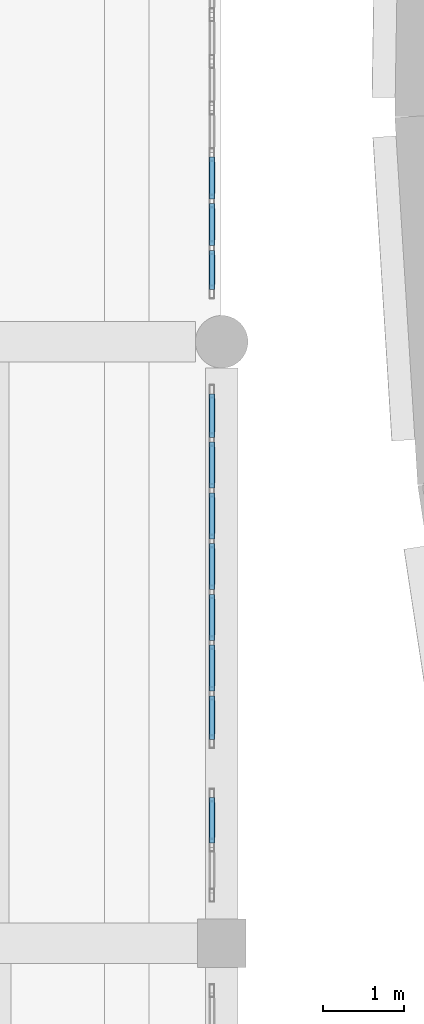
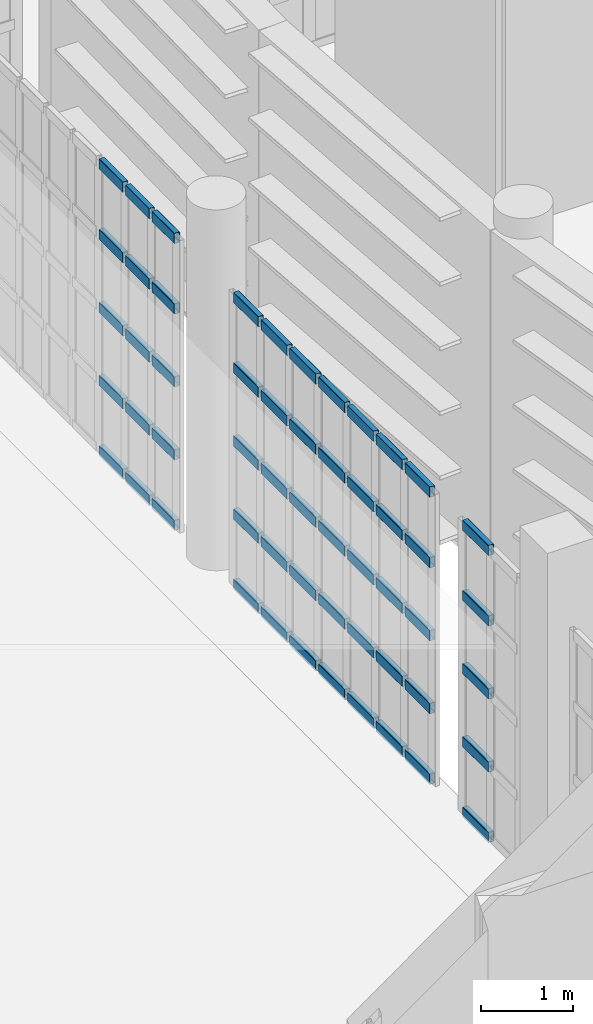
# One storey, part 58 of 104: 55 members, 3 elements without a shape of their own.
"""IFC4 building model written with IfcOpenShell, lengths in metres."""

from ifc_helpers import new_model, si_unit, direction, frame, origin, origin_2d, place, context, subcontext, project, spatial, hollow_rectangle, extrude, material, material_profile, profile_set, type_object, element, aggregate, save


model = new_model("IFC4")

# Units and contexts
model_context = context("Model", 3, precision=1e-05, world=origin(), true_north=direction((0.0, 1.0)))
body_context = subcontext(model_context, "Body", "Model", "MODEL_VIEW")
ifc_project = project(units=[si_unit("LENGTHUNIT", "METRE"), si_unit("AREAUNIT", "SQUARE_METRE"), si_unit("VOLUMEUNIT", "CUBIC_METRE"), si_unit("PLANEANGLEUNIT", "RADIAN"), si_unit("MASSUNIT", "GRAM", prefix="KILO")], contexts=[model_context])

# Site, building, storey
site_placement = place(None, origin())
site = spatial("IfcSite", under=ifc_project, at=site_placement, CompositionType="ELEMENT")
building_placement = place(site_placement, origin())
building = spatial("IfcBuilding", under=site, at=building_placement, Name="Kaelora Sail Theatre", CompositionType="ELEMENT")
storey_placement = place(building_placement, frame((0.0, 0.0, 5.39990234375)))
storey = spatial("IfcBuildingStorey", under=building, at=storey_placement, Name="L01", CompositionType="ELEMENT", Elevation=5.39990234375)

# Curtain wall, members
ifc_material_1 = material(Name="Anodised aluminium and solar-control low-E IGU", Category="aluminium")
curtain_wall_type = type_object("IfcCurtainWallType", Name="ARC-CW-CW-FOY2", PredefinedType="NOTDEFINED", material=ifc_material_1)
curtain_wall_1_placement = place(storey_placement, origin())
curtain_wall_1 = element("IfcCurtainWall", 1, at=curtain_wall_1_placement, inside=storey, type_object=curtain_wall_type, Name="West Interstitial Foyer East Glazed Return L01-01", PredefinedType="NOTDEFINED")
ifc_material_2 = material(Name="Anodised aluminium 6063-T6", Category="aluminium")
ifc_material_profile = material_profile(ifc_material_2, hollow_rectangle(XDim=0.070068359375, YDim=0.139892578125, WallThickness=0.00390625, InnerFilletRadius=0.00390625, OuterFilletRadius=0.008056640625, at=origin_2d()), Name="ALU-TRAN 70x140x4")
ifc_profile_set = profile_set([ifc_material_profile], Name="Anodised aluminium 6063-T6")
member_type = type_object("IfcMemberType", Name="ARC-MEM-TR-140", PredefinedType="USERDEFINED", material=ifc_profile_set)
member_1_placement = place(storey_placement, frame((74.280029296875, 47.3798828125, 0.03515625), z_axis=(0.0, 1.0, 0.0), x_axis=(-1.0, 0.0, 0.0)))
member_1 = element("IfcMember", 2, at=member_1_placement, type_object=member_type, Name="CW-FOY2 transom 2.1", ObjectType="TRANSOM", PredefinedType="USERDEFINED", context=body_context, shape_type="SweptSolid", body=[
    extrude(hollow_rectangle(XDim=0.070068359375, YDim=0.139892578125, WallThickness=0.00390625, InnerFilletRadius=0.00390625, OuterFilletRadius=0.008056640625, at=origin_2d()), origin(), (0.0, 0.0, 1.0), 0.56005859375),
])
member_2_placement = place(storey_placement, frame((74.280029296875, 47.3798828125, 0.971923828125), z_axis=(0.0, 1.0, 0.0), x_axis=(-1.0, 0.0, 0.0)))
member_2 = element("IfcMember", 3, at=member_2_placement, type_object=member_type, Name="CW-FOY2 transom 2.2", ObjectType="TRANSOM", PredefinedType="USERDEFINED", context=body_context, shape_type="SweptSolid", body=[
    extrude(hollow_rectangle(XDim=0.070068359375, YDim=0.139892578125, WallThickness=0.00390625, InnerFilletRadius=0.00390625, OuterFilletRadius=0.008056640625, at=origin_2d()), origin(), (0.0, 0.0, 1.0), 0.56005859375),
])
member_3_placement = place(storey_placement, frame((74.280029296875, 47.3798828125, 1.943603515625), z_axis=(0.0, 1.0, 0.0), x_axis=(-1.0, 0.0, 0.0)))
member_3 = element("IfcMember", 4, at=member_3_placement, type_object=member_type, Name="CW-FOY2 transom 2.3", ObjectType="TRANSOM", PredefinedType="USERDEFINED", context=body_context, shape_type="SweptSolid", body=[
    extrude(hollow_rectangle(XDim=0.070068359375, YDim=0.139892578125, WallThickness=0.00390625, InnerFilletRadius=0.00390625, OuterFilletRadius=0.008056640625, at=origin_2d()), origin(), (0.0, 0.0, 1.0), 0.56005859375),
])
member_4_placement = place(storey_placement, frame((74.280029296875, 47.3798828125, 2.915283203125), z_axis=(0.0, 1.0, 0.0), x_axis=(-1.0, 0.0, 0.0)))
member_4 = element("IfcMember", 5, at=member_4_placement, type_object=member_type, Name="CW-FOY2 transom 2.4", ObjectType="TRANSOM", PredefinedType="USERDEFINED", context=body_context, shape_type="SweptSolid", body=[
    extrude(hollow_rectangle(XDim=0.070068359375, YDim=0.139892578125, WallThickness=0.00390625, InnerFilletRadius=0.00390625, OuterFilletRadius=0.008056640625, at=origin_2d()), origin(), (0.0, 0.0, 1.0), 0.56005859375),
])
member_5_placement = place(storey_placement, frame((74.280029296875, 47.3798828125, 3.85205078125), z_axis=(0.0, 1.0, 0.0), x_axis=(-1.0, 0.0, 0.0)))
member_5 = element("IfcMember", 6, at=member_5_placement, type_object=member_type, Name="CW-FOY2 transom 2.5", ObjectType="TRANSOM", PredefinedType="USERDEFINED", context=body_context, shape_type="SweptSolid", body=[
    extrude(hollow_rectangle(XDim=0.070068359375, YDim=0.139892578125, WallThickness=0.00390625, InnerFilletRadius=0.00390625, OuterFilletRadius=0.008056640625, at=origin_2d()), origin(), (0.0, 0.0, 1.0), 0.56005859375),
])
aggregate(curtain_wall_1, [member_1, member_2, member_3, member_4, member_5])

curtain_wall_2_placement = place(storey_placement, origin())
curtain_wall_2 = element("IfcCurtainWall", 7, at=curtain_wall_2_placement, inside=storey, type_object=curtain_wall_type, Name="West Interstitial Foyer East Glazed Return L01-02", PredefinedType="NOTDEFINED")
member_6_placement = place(storey_placement, frame((74.280029296875, 48.659912109375, 0.03515625), z_axis=(0.0, 1.0, 0.0), x_axis=(-1.0, 0.0, 0.0)))
member_6 = element("IfcMember", 8, at=member_6_placement, type_object=member_type, Name="CW-FOY2 transom 1.1", ObjectType="TRANSOM", PredefinedType="USERDEFINED", context=body_context, shape_type="SweptSolid", body=[
    extrude(hollow_rectangle(XDim=0.070068359375, YDim=0.139892578125, WallThickness=0.00390625, InnerFilletRadius=0.00390625, OuterFilletRadius=0.008056640625, at=origin_2d()), origin(), (0.0, 0.0, 1.0), 0.537841796875),
])
member_7_placement = place(storey_placement, frame((74.280029296875, 48.659912109375, 0.971923828125), z_axis=(0.0, 1.0, 0.0), x_axis=(-1.0, 0.0, 0.0)))
member_7 = element("IfcMember", 9, at=member_7_placement, type_object=member_type, Name="CW-FOY2 transom 1.2", ObjectType="TRANSOM", PredefinedType="USERDEFINED", context=body_context, shape_type="SweptSolid", body=[
    extrude(hollow_rectangle(XDim=0.070068359375, YDim=0.139892578125, WallThickness=0.00390625, InnerFilletRadius=0.00390625, OuterFilletRadius=0.008056640625, at=origin_2d()), origin(), (0.0, 0.0, 1.0), 0.537841796875),
])
member_8_placement = place(storey_placement, frame((74.280029296875, 48.659912109375, 1.943603515625), z_axis=(0.0, 1.0, 0.0), x_axis=(-1.0, 0.0, 0.0)))
member_8 = element("IfcMember", 10, at=member_8_placement, type_object=member_type, Name="CW-FOY2 transom 1.3", ObjectType="TRANSOM", PredefinedType="USERDEFINED", context=body_context, shape_type="SweptSolid", body=[
    extrude(hollow_rectangle(XDim=0.070068359375, YDim=0.139892578125, WallThickness=0.00390625, InnerFilletRadius=0.00390625, OuterFilletRadius=0.008056640625, at=origin_2d()), origin(), (0.0, 0.0, 1.0), 0.537841796875),
])
member_9_placement = place(storey_placement, frame((74.280029296875, 48.659912109375, 2.915283203125), z_axis=(0.0, 1.0, 0.0), x_axis=(-1.0, 0.0, 0.0)))
member_9 = element("IfcMember", 11, at=member_9_placement, type_object=member_type, Name="CW-FOY2 transom 1.4", ObjectType="TRANSOM", PredefinedType="USERDEFINED", context=body_context, shape_type="SweptSolid", body=[
    extrude(hollow_rectangle(XDim=0.070068359375, YDim=0.139892578125, WallThickness=0.00390625, InnerFilletRadius=0.00390625, OuterFilletRadius=0.008056640625, at=origin_2d()), origin(), (0.0, 0.0, 1.0), 0.537841796875),
])
member_10_placement = place(storey_placement, frame((74.280029296875, 48.659912109375, 3.85205078125), z_axis=(0.0, 1.0, 0.0), x_axis=(-1.0, 0.0, 0.0)))
member_10 = element("IfcMember", 12, at=member_10_placement, type_object=member_type, Name="CW-FOY2 transom 1.5", ObjectType="TRANSOM", PredefinedType="USERDEFINED", context=body_context, shape_type="SweptSolid", body=[
    extrude(hollow_rectangle(XDim=0.070068359375, YDim=0.139892578125, WallThickness=0.00390625, InnerFilletRadius=0.00390625, OuterFilletRadius=0.008056640625, at=origin_2d()), origin(), (0.0, 0.0, 1.0), 0.537841796875),
])
member_11_placement = place(storey_placement, frame((74.280029296875, 49.2578125, 0.03515625), z_axis=(0.0, 1.0, 0.0), x_axis=(-1.0, 0.0, 0.0)))
member_11 = element("IfcMember", 13, at=member_11_placement, type_object=member_type, Name="CW-FOY2 transom 2.1", ObjectType="TRANSOM", PredefinedType="USERDEFINED", context=body_context, shape_type="SweptSolid", body=[
    extrude(hollow_rectangle(XDim=0.070068359375, YDim=0.139892578125, WallThickness=0.00390625, InnerFilletRadius=0.00390625, OuterFilletRadius=0.008056640625, at=origin_2d()), origin(), (0.0, 0.0, 1.0), 0.56787109375),
])
member_12_placement = place(storey_placement, frame((74.280029296875, 49.2578125, 0.971923828125), z_axis=(0.0, 1.0, 0.0), x_axis=(-1.0, 0.0, 0.0)))
member_12 = element("IfcMember", 14, at=member_12_placement, type_object=member_type, Name="CW-FOY2 transom 2.2", ObjectType="TRANSOM", PredefinedType="USERDEFINED", context=body_context, shape_type="SweptSolid", body=[
    extrude(hollow_rectangle(XDim=0.070068359375, YDim=0.139892578125, WallThickness=0.00390625, InnerFilletRadius=0.00390625, OuterFilletRadius=0.008056640625, at=origin_2d()), origin(), (0.0, 0.0, 1.0), 0.56787109375),
])
member_13_placement = place(storey_placement, frame((74.280029296875, 49.2578125, 1.943603515625), z_axis=(0.0, 1.0, 0.0), x_axis=(-1.0, 0.0, 0.0)))
member_13 = element("IfcMember", 15, at=member_13_placement, type_object=member_type, Name="CW-FOY2 transom 2.3", ObjectType="TRANSOM", PredefinedType="USERDEFINED", context=body_context, shape_type="SweptSolid", body=[
    extrude(hollow_rectangle(XDim=0.070068359375, YDim=0.139892578125, WallThickness=0.00390625, InnerFilletRadius=0.00390625, OuterFilletRadius=0.008056640625, at=origin_2d()), origin(), (0.0, 0.0, 1.0), 0.56787109375),
])
member_14_placement = place(storey_placement, frame((74.280029296875, 49.2578125, 2.915283203125), z_axis=(0.0, 1.0, 0.0), x_axis=(-1.0, 0.0, 0.0)))
member_14 = element("IfcMember", 16, at=member_14_placement, type_object=member_type, Name="CW-FOY2 transom 2.4", ObjectType="TRANSOM", PredefinedType="USERDEFINED", context=body_context, shape_type="SweptSolid", body=[
    extrude(hollow_rectangle(XDim=0.070068359375, YDim=0.139892578125, WallThickness=0.00390625, InnerFilletRadius=0.00390625, OuterFilletRadius=0.008056640625, at=origin_2d()), origin(), (0.0, 0.0, 1.0), 0.56787109375),
])
member_15_placement = place(storey_placement, frame((74.280029296875, 49.2578125, 3.85205078125), z_axis=(0.0, 1.0, 0.0), x_axis=(-1.0, 0.0, 0.0)))
member_15 = element("IfcMember", 17, at=member_15_placement, type_object=member_type, Name="CW-FOY2 transom 2.5", ObjectType="TRANSOM", PredefinedType="USERDEFINED", context=body_context, shape_type="SweptSolid", body=[
    extrude(hollow_rectangle(XDim=0.070068359375, YDim=0.139892578125, WallThickness=0.00390625, InnerFilletRadius=0.00390625, OuterFilletRadius=0.008056640625, at=origin_2d()), origin(), (0.0, 0.0, 1.0), 0.56787109375),
])
member_16_placement = place(storey_placement, frame((74.280029296875, 49.8857421875, 0.03515625), z_axis=(0.0, 1.0, 0.0), x_axis=(-1.0, 0.0, 0.0)))
member_16 = element("IfcMember", 18, at=member_16_placement, type_object=member_type, Name="CW-FOY2 transom 3.1", ObjectType="TRANSOM", PredefinedType="USERDEFINED", context=body_context, shape_type="SweptSolid", body=[
    extrude(hollow_rectangle(XDim=0.070068359375, YDim=0.139892578125, WallThickness=0.00390625, InnerFilletRadius=0.00390625, OuterFilletRadius=0.008056640625, at=origin_2d()), origin(), (0.0, 0.0, 1.0), 0.56787109375),
])
member_17_placement = place(storey_placement, frame((74.280029296875, 49.8857421875, 0.971923828125), z_axis=(0.0, 1.0, 0.0), x_axis=(-1.0, 0.0, 0.0)))
member_17 = element("IfcMember", 19, at=member_17_placement, type_object=member_type, Name="CW-FOY2 transom 3.2", ObjectType="TRANSOM", PredefinedType="USERDEFINED", context=body_context, shape_type="SweptSolid", body=[
    extrude(hollow_rectangle(XDim=0.070068359375, YDim=0.139892578125, WallThickness=0.00390625, InnerFilletRadius=0.00390625, OuterFilletRadius=0.008056640625, at=origin_2d()), origin(), (0.0, 0.0, 1.0), 0.56787109375),
])
member_18_placement = place(storey_placement, frame((74.280029296875, 49.8857421875, 1.943603515625), z_axis=(0.0, 1.0, 0.0), x_axis=(-1.0, 0.0, 0.0)))
member_18 = element("IfcMember", 20, at=member_18_placement, type_object=member_type, Name="CW-FOY2 transom 3.3", ObjectType="TRANSOM", PredefinedType="USERDEFINED", context=body_context, shape_type="SweptSolid", body=[
    extrude(hollow_rectangle(XDim=0.070068359375, YDim=0.139892578125, WallThickness=0.00390625, InnerFilletRadius=0.00390625, OuterFilletRadius=0.008056640625, at=origin_2d()), origin(), (0.0, 0.0, 1.0), 0.56787109375),
])
member_19_placement = place(storey_placement, frame((74.280029296875, 49.8857421875, 2.915283203125), z_axis=(0.0, 1.0, 0.0), x_axis=(-1.0, 0.0, 0.0)))
member_19 = element("IfcMember", 21, at=member_19_placement, type_object=member_type, Name="CW-FOY2 transom 3.4", ObjectType="TRANSOM", PredefinedType="USERDEFINED", context=body_context, shape_type="SweptSolid", body=[
    extrude(hollow_rectangle(XDim=0.070068359375, YDim=0.139892578125, WallThickness=0.00390625, InnerFilletRadius=0.00390625, OuterFilletRadius=0.008056640625, at=origin_2d()), origin(), (0.0, 0.0, 1.0), 0.56787109375),
])
member_20_placement = place(storey_placement, frame((74.280029296875, 49.8857421875, 3.85205078125), z_axis=(0.0, 1.0, 0.0), x_axis=(-1.0, 0.0, 0.0)))
member_20 = element("IfcMember", 22, at=member_20_placement, type_object=member_type, Name="CW-FOY2 transom 3.5", ObjectType="TRANSOM", PredefinedType="USERDEFINED", context=body_context, shape_type="SweptSolid", body=[
    extrude(hollow_rectangle(XDim=0.070068359375, YDim=0.139892578125, WallThickness=0.00390625, InnerFilletRadius=0.00390625, OuterFilletRadius=0.008056640625, at=origin_2d()), origin(), (0.0, 0.0, 1.0), 0.56787109375),
])
member_21_placement = place(storey_placement, frame((74.280029296875, 50.513671875, 0.03515625), z_axis=(0.0, 1.0, 0.0), x_axis=(-1.0, 0.0, 0.0)))
member_21 = element("IfcMember", 23, at=member_21_placement, type_object=member_type, Name="CW-FOY2 transom 4.1", ObjectType="TRANSOM", PredefinedType="USERDEFINED", context=body_context, shape_type="SweptSolid", body=[
    extrude(hollow_rectangle(XDim=0.070068359375, YDim=0.139892578125, WallThickness=0.00390625, InnerFilletRadius=0.00390625, OuterFilletRadius=0.008056640625, at=origin_2d()), origin(), (0.0, 0.0, 1.0), 0.56787109375),
])
member_22_placement = place(storey_placement, frame((74.280029296875, 50.513671875, 0.971923828125), z_axis=(0.0, 1.0, 0.0), x_axis=(-1.0, 0.0, 0.0)))
member_22 = element("IfcMember", 24, at=member_22_placement, type_object=member_type, Name="CW-FOY2 transom 4.2", ObjectType="TRANSOM", PredefinedType="USERDEFINED", context=body_context, shape_type="SweptSolid", body=[
    extrude(hollow_rectangle(XDim=0.070068359375, YDim=0.139892578125, WallThickness=0.00390625, InnerFilletRadius=0.00390625, OuterFilletRadius=0.008056640625, at=origin_2d()), origin(), (0.0, 0.0, 1.0), 0.56787109375),
])
member_23_placement = place(storey_placement, frame((74.280029296875, 50.513671875, 1.943603515625), z_axis=(0.0, 1.0, 0.0), x_axis=(-1.0, 0.0, 0.0)))
member_23 = element("IfcMember", 25, at=member_23_placement, type_object=member_type, Name="CW-FOY2 transom 4.3", ObjectType="TRANSOM", PredefinedType="USERDEFINED", context=body_context, shape_type="SweptSolid", body=[
    extrude(hollow_rectangle(XDim=0.070068359375, YDim=0.139892578125, WallThickness=0.00390625, InnerFilletRadius=0.00390625, OuterFilletRadius=0.008056640625, at=origin_2d()), origin(), (0.0, 0.0, 1.0), 0.56787109375),
])
member_24_placement = place(storey_placement, frame((74.280029296875, 50.513671875, 2.915283203125), z_axis=(0.0, 1.0, 0.0), x_axis=(-1.0, 0.0, 0.0)))
member_24 = element("IfcMember", 26, at=member_24_placement, type_object=member_type, Name="CW-FOY2 transom 4.4", ObjectType="TRANSOM", PredefinedType="USERDEFINED", context=body_context, shape_type="SweptSolid", body=[
    extrude(hollow_rectangle(XDim=0.070068359375, YDim=0.139892578125, WallThickness=0.00390625, InnerFilletRadius=0.00390625, OuterFilletRadius=0.008056640625, at=origin_2d()), origin(), (0.0, 0.0, 1.0), 0.56787109375),
])
member_25_placement = place(storey_placement, frame((74.280029296875, 50.513671875, 3.85205078125), z_axis=(0.0, 1.0, 0.0), x_axis=(-1.0, 0.0, 0.0)))
member_25 = element("IfcMember", 27, at=member_25_placement, type_object=member_type, Name="CW-FOY2 transom 4.5", ObjectType="TRANSOM", PredefinedType="USERDEFINED", context=body_context, shape_type="SweptSolid", body=[
    extrude(hollow_rectangle(XDim=0.070068359375, YDim=0.139892578125, WallThickness=0.00390625, InnerFilletRadius=0.00390625, OuterFilletRadius=0.008056640625, at=origin_2d()), origin(), (0.0, 0.0, 1.0), 0.56787109375),
])
member_26_placement = place(storey_placement, frame((74.280029296875, 51.141357421875, 0.03515625), z_axis=(0.0, 1.0, 0.0), x_axis=(-1.0, 0.0, 0.0)))
member_26 = element("IfcMember", 28, at=member_26_placement, type_object=member_type, Name="CW-FOY2 transom 5.1", ObjectType="TRANSOM", PredefinedType="USERDEFINED", context=body_context, shape_type="SweptSolid", body=[
    extrude(hollow_rectangle(XDim=0.070068359375, YDim=0.139892578125, WallThickness=0.00390625, InnerFilletRadius=0.00390625, OuterFilletRadius=0.008056640625, at=origin_2d()), origin(), (0.0, 0.0, 1.0), 0.56787109375),
])
member_27_placement = place(storey_placement, frame((74.280029296875, 51.141357421875, 0.971923828125), z_axis=(0.0, 1.0, 0.0), x_axis=(-1.0, 0.0, 0.0)))
member_27 = element("IfcMember", 29, at=member_27_placement, type_object=member_type, Name="CW-FOY2 transom 5.2", ObjectType="TRANSOM", PredefinedType="USERDEFINED", context=body_context, shape_type="SweptSolid", body=[
    extrude(hollow_rectangle(XDim=0.070068359375, YDim=0.139892578125, WallThickness=0.00390625, InnerFilletRadius=0.00390625, OuterFilletRadius=0.008056640625, at=origin_2d()), origin(), (0.0, 0.0, 1.0), 0.56787109375),
])
member_28_placement = place(storey_placement, frame((74.280029296875, 51.141357421875, 1.943603515625), z_axis=(0.0, 1.0, 0.0), x_axis=(-1.0, 0.0, 0.0)))
member_28 = element("IfcMember", 30, at=member_28_placement, type_object=member_type, Name="CW-FOY2 transom 5.3", ObjectType="TRANSOM", PredefinedType="USERDEFINED", context=body_context, shape_type="SweptSolid", body=[
    extrude(hollow_rectangle(XDim=0.070068359375, YDim=0.139892578125, WallThickness=0.00390625, InnerFilletRadius=0.00390625, OuterFilletRadius=0.008056640625, at=origin_2d()), origin(), (0.0, 0.0, 1.0), 0.56787109375),
])
member_29_placement = place(storey_placement, frame((74.280029296875, 51.141357421875, 2.915283203125), z_axis=(0.0, 1.0, 0.0), x_axis=(-1.0, 0.0, 0.0)))
member_29 = element("IfcMember", 31, at=member_29_placement, type_object=member_type, Name="CW-FOY2 transom 5.4", ObjectType="TRANSOM", PredefinedType="USERDEFINED", context=body_context, shape_type="SweptSolid", body=[
    extrude(hollow_rectangle(XDim=0.070068359375, YDim=0.139892578125, WallThickness=0.00390625, InnerFilletRadius=0.00390625, OuterFilletRadius=0.008056640625, at=origin_2d()), origin(), (0.0, 0.0, 1.0), 0.56787109375),
])
member_30_placement = place(storey_placement, frame((74.280029296875, 51.141357421875, 3.85205078125), z_axis=(0.0, 1.0, 0.0), x_axis=(-1.0, 0.0, 0.0)))
member_30 = element("IfcMember", 32, at=member_30_placement, type_object=member_type, Name="CW-FOY2 transom 5.5", ObjectType="TRANSOM", PredefinedType="USERDEFINED", context=body_context, shape_type="SweptSolid", body=[
    extrude(hollow_rectangle(XDim=0.070068359375, YDim=0.139892578125, WallThickness=0.00390625, InnerFilletRadius=0.00390625, OuterFilletRadius=0.008056640625, at=origin_2d()), origin(), (0.0, 0.0, 1.0), 0.56787109375),
])
member_31_placement = place(storey_placement, frame((74.280029296875, 51.769287109375, 0.03515625), z_axis=(0.0, 1.0, 0.0), x_axis=(-1.0, 0.0, 0.0)))
member_31 = element("IfcMember", 33, at=member_31_placement, type_object=member_type, Name="CW-FOY2 transom 6.1", ObjectType="TRANSOM", PredefinedType="USERDEFINED", context=body_context, shape_type="SweptSolid", body=[
    extrude(hollow_rectangle(XDim=0.070068359375, YDim=0.139892578125, WallThickness=0.00390625, InnerFilletRadius=0.00390625, OuterFilletRadius=0.008056640625, at=origin_2d()), origin(), (0.0, 0.0, 1.0), 0.56787109375),
])
member_32_placement = place(storey_placement, frame((74.280029296875, 51.769287109375, 0.971923828125), z_axis=(0.0, 1.0, 0.0), x_axis=(-1.0, 0.0, 0.0)))
member_32 = element("IfcMember", 34, at=member_32_placement, type_object=member_type, Name="CW-FOY2 transom 6.2", ObjectType="TRANSOM", PredefinedType="USERDEFINED", context=body_context, shape_type="SweptSolid", body=[
    extrude(hollow_rectangle(XDim=0.070068359375, YDim=0.139892578125, WallThickness=0.00390625, InnerFilletRadius=0.00390625, OuterFilletRadius=0.008056640625, at=origin_2d()), origin(), (0.0, 0.0, 1.0), 0.56787109375),
])
member_33_placement = place(storey_placement, frame((74.280029296875, 51.769287109375, 1.943603515625), z_axis=(0.0, 1.0, 0.0), x_axis=(-1.0, 0.0, 0.0)))
member_33 = element("IfcMember", 35, at=member_33_placement, type_object=member_type, Name="CW-FOY2 transom 6.3", ObjectType="TRANSOM", PredefinedType="USERDEFINED", context=body_context, shape_type="SweptSolid", body=[
    extrude(hollow_rectangle(XDim=0.070068359375, YDim=0.139892578125, WallThickness=0.00390625, InnerFilletRadius=0.00390625, OuterFilletRadius=0.008056640625, at=origin_2d()), origin(), (0.0, 0.0, 1.0), 0.56787109375),
])
member_34_placement = place(storey_placement, frame((74.280029296875, 51.769287109375, 2.915283203125), z_axis=(0.0, 1.0, 0.0), x_axis=(-1.0, 0.0, 0.0)))
member_34 = element("IfcMember", 36, at=member_34_placement, type_object=member_type, Name="CW-FOY2 transom 6.4", ObjectType="TRANSOM", PredefinedType="USERDEFINED", context=body_context, shape_type="SweptSolid", body=[
    extrude(hollow_rectangle(XDim=0.070068359375, YDim=0.139892578125, WallThickness=0.00390625, InnerFilletRadius=0.00390625, OuterFilletRadius=0.008056640625, at=origin_2d()), origin(), (0.0, 0.0, 1.0), 0.56787109375),
])
member_35_placement = place(storey_placement, frame((74.280029296875, 51.769287109375, 3.85205078125), z_axis=(0.0, 1.0, 0.0), x_axis=(-1.0, 0.0, 0.0)))
member_35 = element("IfcMember", 37, at=member_35_placement, type_object=member_type, Name="CW-FOY2 transom 6.5", ObjectType="TRANSOM", PredefinedType="USERDEFINED", context=body_context, shape_type="SweptSolid", body=[
    extrude(hollow_rectangle(XDim=0.070068359375, YDim=0.139892578125, WallThickness=0.00390625, InnerFilletRadius=0.00390625, OuterFilletRadius=0.008056640625, at=origin_2d()), origin(), (0.0, 0.0, 1.0), 0.56787109375),
])
member_36_placement = place(storey_placement, frame((74.280029296875, 52.397216796875, 0.03515625), z_axis=(0.0, 1.0, 0.0), x_axis=(-1.0, 0.0, 0.0)))
member_36 = element("IfcMember", 38, at=member_36_placement, type_object=member_type, Name="CW-FOY2 transom 7.1", ObjectType="TRANSOM", PredefinedType="USERDEFINED", context=body_context, shape_type="SweptSolid", body=[
    extrude(hollow_rectangle(XDim=0.070068359375, YDim=0.139892578125, WallThickness=0.00390625, InnerFilletRadius=0.00390625, OuterFilletRadius=0.008056640625, at=origin_2d()), origin(), (0.0, 0.0, 1.0), 0.537841796875),
])
member_37_placement = place(storey_placement, frame((74.280029296875, 52.397216796875, 0.971923828125), z_axis=(0.0, 1.0, 0.0), x_axis=(-1.0, 0.0, 0.0)))
member_37 = element("IfcMember", 39, at=member_37_placement, type_object=member_type, Name="CW-FOY2 transom 7.2", ObjectType="TRANSOM", PredefinedType="USERDEFINED", context=body_context, shape_type="SweptSolid", body=[
    extrude(hollow_rectangle(XDim=0.070068359375, YDim=0.139892578125, WallThickness=0.00390625, InnerFilletRadius=0.00390625, OuterFilletRadius=0.008056640625, at=origin_2d()), origin(), (0.0, 0.0, 1.0), 0.537841796875),
])
member_38_placement = place(storey_placement, frame((74.280029296875, 52.397216796875, 1.943603515625), z_axis=(0.0, 1.0, 0.0), x_axis=(-1.0, 0.0, 0.0)))
member_38 = element("IfcMember", 40, at=member_38_placement, type_object=member_type, Name="CW-FOY2 transom 7.3", ObjectType="TRANSOM", PredefinedType="USERDEFINED", context=body_context, shape_type="SweptSolid", body=[
    extrude(hollow_rectangle(XDim=0.070068359375, YDim=0.139892578125, WallThickness=0.00390625, InnerFilletRadius=0.00390625, OuterFilletRadius=0.008056640625, at=origin_2d()), origin(), (0.0, 0.0, 1.0), 0.537841796875),
])
member_39_placement = place(storey_placement, frame((74.280029296875, 52.397216796875, 2.915283203125), z_axis=(0.0, 1.0, 0.0), x_axis=(-1.0, 0.0, 0.0)))
member_39 = element("IfcMember", 41, at=member_39_placement, type_object=member_type, Name="CW-FOY2 transom 7.4", ObjectType="TRANSOM", PredefinedType="USERDEFINED", context=body_context, shape_type="SweptSolid", body=[
    extrude(hollow_rectangle(XDim=0.070068359375, YDim=0.139892578125, WallThickness=0.00390625, InnerFilletRadius=0.00390625, OuterFilletRadius=0.008056640625, at=origin_2d()), origin(), (0.0, 0.0, 1.0), 0.537841796875),
])
member_40_placement = place(storey_placement, frame((74.280029296875, 52.397216796875, 3.85205078125), z_axis=(0.0, 1.0, 0.0), x_axis=(-1.0, 0.0, 0.0)))
member_40 = element("IfcMember", 42, at=member_40_placement, type_object=member_type, Name="CW-FOY2 transom 7.5", ObjectType="TRANSOM", PredefinedType="USERDEFINED", context=body_context, shape_type="SweptSolid", body=[
    extrude(hollow_rectangle(XDim=0.070068359375, YDim=0.139892578125, WallThickness=0.00390625, InnerFilletRadius=0.00390625, OuterFilletRadius=0.008056640625, at=origin_2d()), origin(), (0.0, 0.0, 1.0), 0.537841796875),
])
aggregate(curtain_wall_2, [member_6, member_7, member_8, member_9, member_10, member_11, member_12, member_13, member_14, member_15, member_16, member_17, member_18, member_19, member_20, member_21, member_22, member_23, member_24, member_25, member_26, member_27, member_28, member_29, member_30, member_31, member_32, member_33, member_34, member_35, member_36, member_37, member_38, member_39, member_40])

curtain_wall_3_placement = place(storey_placement, origin())
curtain_wall_3 = element("IfcCurtainWall", 43, at=curtain_wall_3_placement, inside=storey, type_object=curtain_wall_type, Name="West Interstitial Foyer East Glazed Return L01-03", PredefinedType="NOTDEFINED")
member_41_placement = place(storey_placement, frame((74.280029296875, 54.22509765625, 0.03515625), z_axis=(0.0, 1.0, 0.0), x_axis=(-1.0, 0.0, 0.0)))
member_41 = element("IfcMember", 44, at=member_41_placement, type_object=member_type, Name="CW-FOY2 transom 1.1", ObjectType="TRANSOM", PredefinedType="USERDEFINED", context=body_context, shape_type="SweptSolid", body=[
    extrude(hollow_rectangle(XDim=0.070068359375, YDim=0.139892578125, WallThickness=0.00390625, InnerFilletRadius=0.00390625, OuterFilletRadius=0.008056640625, at=origin_2d()), origin(), (0.0, 0.0, 1.0), 0.486328125),
])
member_42_placement = place(storey_placement, frame((74.280029296875, 54.22509765625, 0.971923828125), z_axis=(0.0, 1.0, 0.0), x_axis=(-1.0, 0.0, 0.0)))
member_42 = element("IfcMember", 45, at=member_42_placement, type_object=member_type, Name="CW-FOY2 transom 1.2", ObjectType="TRANSOM", PredefinedType="USERDEFINED", context=body_context, shape_type="SweptSolid", body=[
    extrude(hollow_rectangle(XDim=0.070068359375, YDim=0.139892578125, WallThickness=0.00390625, InnerFilletRadius=0.00390625, OuterFilletRadius=0.008056640625, at=origin_2d()), origin(), (0.0, 0.0, 1.0), 0.486328125),
])
member_43_placement = place(storey_placement, frame((74.280029296875, 54.22509765625, 1.943603515625), z_axis=(0.0, 1.0, 0.0), x_axis=(-1.0, 0.0, 0.0)))
member_43 = element("IfcMember", 46, at=member_43_placement, type_object=member_type, Name="CW-FOY2 transom 1.3", ObjectType="TRANSOM", PredefinedType="USERDEFINED", context=body_context, shape_type="SweptSolid", body=[
    extrude(hollow_rectangle(XDim=0.070068359375, YDim=0.139892578125, WallThickness=0.00390625, InnerFilletRadius=0.00390625, OuterFilletRadius=0.008056640625, at=origin_2d()), origin(), (0.0, 0.0, 1.0), 0.486328125),
])
member_44_placement = place(storey_placement, frame((74.280029296875, 54.22509765625, 2.915283203125), z_axis=(0.0, 1.0, 0.0), x_axis=(-1.0, 0.0, 0.0)))
member_44 = element("IfcMember", 47, at=member_44_placement, type_object=member_type, Name="CW-FOY2 transom 1.4", ObjectType="TRANSOM", PredefinedType="USERDEFINED", context=body_context, shape_type="SweptSolid", body=[
    extrude(hollow_rectangle(XDim=0.070068359375, YDim=0.139892578125, WallThickness=0.00390625, InnerFilletRadius=0.00390625, OuterFilletRadius=0.008056640625, at=origin_2d()), origin(), (0.0, 0.0, 1.0), 0.486328125),
])
member_45_placement = place(storey_placement, frame((74.280029296875, 54.22509765625, 3.85205078125), z_axis=(0.0, 1.0, 0.0), x_axis=(-1.0, 0.0, 0.0)))
member_45 = element("IfcMember", 48, at=member_45_placement, type_object=member_type, Name="CW-FOY2 transom 1.5", ObjectType="TRANSOM", PredefinedType="USERDEFINED", context=body_context, shape_type="SweptSolid", body=[
    extrude(hollow_rectangle(XDim=0.070068359375, YDim=0.139892578125, WallThickness=0.00390625, InnerFilletRadius=0.00390625, OuterFilletRadius=0.008056640625, at=origin_2d()), origin(), (0.0, 0.0, 1.0), 0.486328125),
])
member_46_placement = place(storey_placement, frame((74.280029296875, 54.771484375, 0.03515625), z_axis=(0.0, 1.0, 0.0), x_axis=(-1.0, 0.0, 0.0)))
member_46 = element("IfcMember", 49, at=member_46_placement, type_object=member_type, Name="CW-FOY2 transom 2.1", ObjectType="TRANSOM", PredefinedType="USERDEFINED", context=body_context, shape_type="SweptSolid", body=[
    extrude(hollow_rectangle(XDim=0.070068359375, YDim=0.139892578125, WallThickness=0.00390625, InnerFilletRadius=0.00390625, OuterFilletRadius=0.008056640625, at=origin_2d()), origin(), (0.0, 0.0, 1.0), 0.516357421875),
])
member_47_placement = place(storey_placement, frame((74.280029296875, 54.771484375, 0.971923828125), z_axis=(0.0, 1.0, 0.0), x_axis=(-1.0, 0.0, 0.0)))
member_47 = element("IfcMember", 50, at=member_47_placement, type_object=member_type, Name="CW-FOY2 transom 2.2", ObjectType="TRANSOM", PredefinedType="USERDEFINED", context=body_context, shape_type="SweptSolid", body=[
    extrude(hollow_rectangle(XDim=0.070068359375, YDim=0.139892578125, WallThickness=0.00390625, InnerFilletRadius=0.00390625, OuterFilletRadius=0.008056640625, at=origin_2d()), origin(), (0.0, 0.0, 1.0), 0.516357421875),
])
member_48_placement = place(storey_placement, frame((74.280029296875, 54.771484375, 1.943603515625), z_axis=(0.0, 1.0, 0.0), x_axis=(-1.0, 0.0, 0.0)))
member_48 = element("IfcMember", 51, at=member_48_placement, type_object=member_type, Name="CW-FOY2 transom 2.3", ObjectType="TRANSOM", PredefinedType="USERDEFINED", context=body_context, shape_type="SweptSolid", body=[
    extrude(hollow_rectangle(XDim=0.070068359375, YDim=0.139892578125, WallThickness=0.00390625, InnerFilletRadius=0.00390625, OuterFilletRadius=0.008056640625, at=origin_2d()), origin(), (0.0, 0.0, 1.0), 0.516357421875),
])
member_49_placement = place(storey_placement, frame((74.280029296875, 54.771484375, 2.915283203125), z_axis=(0.0, 1.0, 0.0), x_axis=(-1.0, 0.0, 0.0)))
member_49 = element("IfcMember", 52, at=member_49_placement, type_object=member_type, Name="CW-FOY2 transom 2.4", ObjectType="TRANSOM", PredefinedType="USERDEFINED", context=body_context, shape_type="SweptSolid", body=[
    extrude(hollow_rectangle(XDim=0.070068359375, YDim=0.139892578125, WallThickness=0.00390625, InnerFilletRadius=0.00390625, OuterFilletRadius=0.008056640625, at=origin_2d()), origin(), (0.0, 0.0, 1.0), 0.516357421875),
])
member_50_placement = place(storey_placement, frame((74.280029296875, 54.771484375, 3.85205078125), z_axis=(0.0, 1.0, 0.0), x_axis=(-1.0, 0.0, 0.0)))
member_50 = element("IfcMember", 53, at=member_50_placement, type_object=member_type, Name="CW-FOY2 transom 2.5", ObjectType="TRANSOM", PredefinedType="USERDEFINED", context=body_context, shape_type="SweptSolid", body=[
    extrude(hollow_rectangle(XDim=0.070068359375, YDim=0.139892578125, WallThickness=0.00390625, InnerFilletRadius=0.00390625, OuterFilletRadius=0.008056640625, at=origin_2d()), origin(), (0.0, 0.0, 1.0), 0.516357421875),
])
member_51_placement = place(storey_placement, frame((74.280029296875, 55.347900390625, 0.03515625), z_axis=(0.0, 1.0, 0.0), x_axis=(-1.0, 0.0, 0.0)))
member_51 = element("IfcMember", 54, at=member_51_placement, type_object=member_type, Name="CW-FOY2 transom 3.1", ObjectType="TRANSOM", PredefinedType="USERDEFINED", context=body_context, shape_type="SweptSolid", body=[
    extrude(hollow_rectangle(XDim=0.070068359375, YDim=0.139892578125, WallThickness=0.00390625, InnerFilletRadius=0.00390625, OuterFilletRadius=0.008056640625, at=origin_2d()), origin(), (0.0, 0.0, 1.0), 0.516357421875),
])
member_52_placement = place(storey_placement, frame((74.280029296875, 55.347900390625, 0.971923828125), z_axis=(0.0, 1.0, 0.0), x_axis=(-1.0, 0.0, 0.0)))
member_52 = element("IfcMember", 55, at=member_52_placement, type_object=member_type, Name="CW-FOY2 transom 3.2", ObjectType="TRANSOM", PredefinedType="USERDEFINED", context=body_context, shape_type="SweptSolid", body=[
    extrude(hollow_rectangle(XDim=0.070068359375, YDim=0.139892578125, WallThickness=0.00390625, InnerFilletRadius=0.00390625, OuterFilletRadius=0.008056640625, at=origin_2d()), origin(), (0.0, 0.0, 1.0), 0.516357421875),
])
member_53_placement = place(storey_placement, frame((74.280029296875, 55.347900390625, 1.943603515625), z_axis=(0.0, 1.0, 0.0), x_axis=(-1.0, 0.0, 0.0)))
member_53 = element("IfcMember", 56, at=member_53_placement, type_object=member_type, Name="CW-FOY2 transom 3.3", ObjectType="TRANSOM", PredefinedType="USERDEFINED", context=body_context, shape_type="SweptSolid", body=[
    extrude(hollow_rectangle(XDim=0.070068359375, YDim=0.139892578125, WallThickness=0.00390625, InnerFilletRadius=0.00390625, OuterFilletRadius=0.008056640625, at=origin_2d()), origin(), (0.0, 0.0, 1.0), 0.516357421875),
])
member_54_placement = place(storey_placement, frame((74.280029296875, 55.347900390625, 2.915283203125), z_axis=(0.0, 1.0, 0.0), x_axis=(-1.0, 0.0, 0.0)))
member_54 = element("IfcMember", 57, at=member_54_placement, type_object=member_type, Name="CW-FOY2 transom 3.4", ObjectType="TRANSOM", PredefinedType="USERDEFINED", context=body_context, shape_type="SweptSolid", body=[
    extrude(hollow_rectangle(XDim=0.070068359375, YDim=0.139892578125, WallThickness=0.00390625, InnerFilletRadius=0.00390625, OuterFilletRadius=0.008056640625, at=origin_2d()), origin(), (0.0, 0.0, 1.0), 0.516357421875),
])
member_55_placement = place(storey_placement, frame((74.280029296875, 55.347900390625, 3.85205078125), z_axis=(0.0, 1.0, 0.0), x_axis=(-1.0, 0.0, 0.0)))
member_55 = element("IfcMember", 58, at=member_55_placement, type_object=member_type, Name="CW-FOY2 transom 3.5", ObjectType="TRANSOM", PredefinedType="USERDEFINED", context=body_context, shape_type="SweptSolid", body=[
    extrude(hollow_rectangle(XDim=0.070068359375, YDim=0.139892578125, WallThickness=0.00390625, InnerFilletRadius=0.00390625, OuterFilletRadius=0.008056640625, at=origin_2d()), origin(), (0.0, 0.0, 1.0), 0.516357421875),
])
aggregate(curtain_wall_3, [member_41, member_42, member_43, member_44, member_45, member_46, member_47, member_48, member_49, member_50, member_51, member_52, member_53, member_54, member_55])

save(model, "model.ifc")
